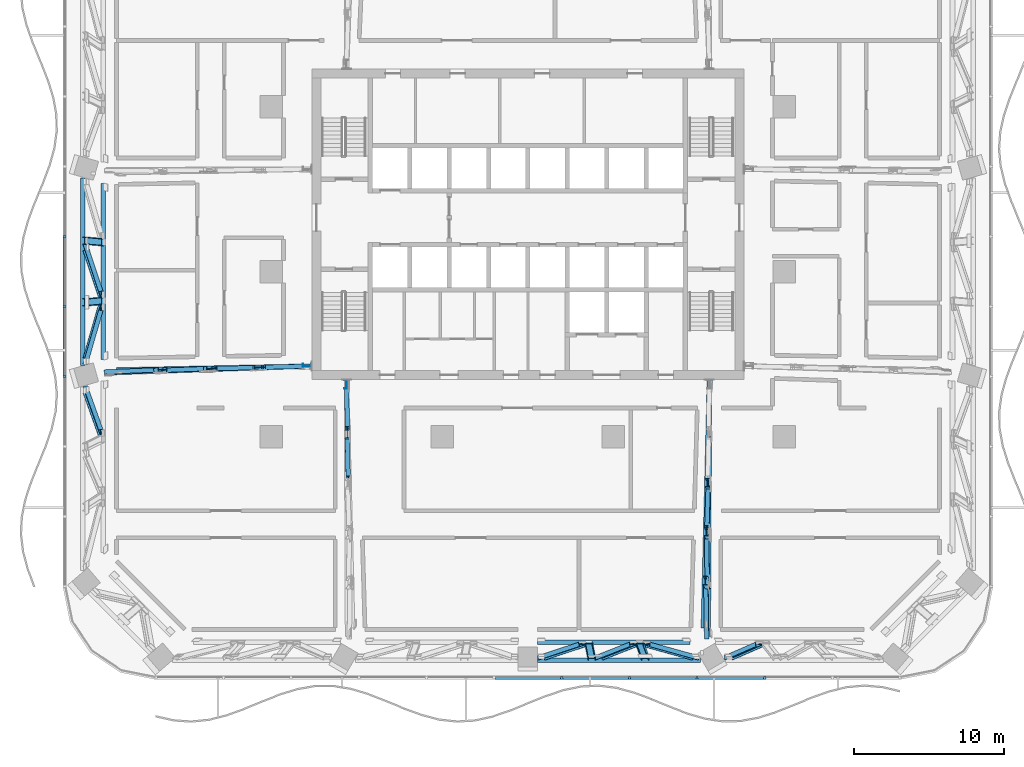
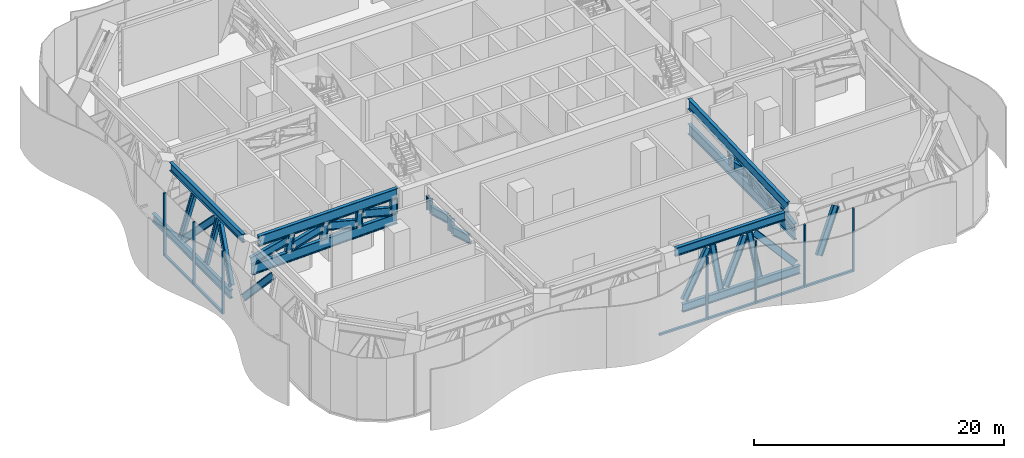
# One storey, part 3 of 32: 50 members, 2 elements without a shape of their own.
"""IFC4 building model written with IfcOpenShell, lengths in metres."""

from ifc_helpers import new_model, si_unit, direction, frame, origin, origin_2d, place, context, subcontext, project, spatial, rectangle, i_section, extrude, material, material_profile, profile_set, type_object, element, aggregate, save


model = new_model("IFC4")

# Units and contexts
model_context = context("Model", 3, precision=1e-05, world=origin(), true_north=direction((0.0, 1.0)))
body_context = subcontext(model_context, "Body", "Model", "MODEL_VIEW")
ifc_project = project(units=[si_unit("LENGTHUNIT", "METRE"), si_unit("AREAUNIT", "SQUARE_METRE"), si_unit("VOLUMEUNIT", "CUBIC_METRE"), si_unit("PLANEANGLEUNIT", "RADIAN"), si_unit("MASSUNIT", "GRAM", prefix="KILO")], contexts=[model_context])

# Site, building, storey
site_placement = place(None, origin())
site = spatial("IfcSite", under=ifc_project, at=site_placement, CompositionType="ELEMENT")
building_placement = place(site_placement, origin())
building = spatial("IfcBuilding", under=site, at=building_placement, Name="Mopane Tessera Tower", CompositionType="ELEMENT")
storey_placement = place(building_placement, frame((0.0, 0.0, 88.60009765625)))
storey = spatial("IfcBuildingStorey", under=building, at=storey_placement, Name="L17", CompositionType="ELEMENT", Elevation=88.60009765625)

# Curtain wall, members
ifc_material_1 = material(Name="Aluminium frame", Category="aluminium")
curtain_wall_type = type_object("IfcCurtainWallType", Name="Plant floor unitised wall", PredefinedType="NOTDEFINED", material=ifc_material_1)
curtain_wall_1_placement = place(storey_placement, origin())
curtain_wall_1 = element("IfcCurtainWall", 1, at=curtain_wall_1_placement, inside=storey, type_object=curtain_wall_type, Name="e:cw:L17:S:0", PredefinedType="NOTDEFINED")
ifc_material_2 = material(Name="Aluminium frame", Category="aluminium")
ifc_material_profile_1 = material_profile(ifc_material_2, rectangle(XDim=0.139892578125, YDim=0.199951171875, at=origin_2d()))
ifc_profile_set_1 = profile_set([ifc_material_profile_1], Name="Aluminium frame")
member_type_1 = type_object("IfcMemberType", Name="Aluminium mullion 140 x 200", PredefinedType="MULLION", material=ifc_profile_set_1)
member_1_placement = place(storey_placement, frame((2.254638671875, -27.10009765625, -0.60009765625), z_axis=(0.0, 0.0, 1.0), x_axis=(1.0, 0.0, 0.0)))
member_1 = element("IfcMember", 2, at=member_1_placement, type_object=member_type_1, Name="e:cw:L17:S:0:mu6", PredefinedType="MULLION", context=body_context, shape_type="SweptSolid", body=[
    extrude(rectangle(XDim=0.139892578125, YDim=0.199951171875, at=origin_2d()), origin(), (0.0, 0.0, 1.0), 6.14990234375),
])
member_2_placement = place(storey_placement, frame((6.763671875, -27.10009765625, -0.60009765625), z_axis=(0.0, 0.0, 1.0), x_axis=(1.0, 0.0, 0.0)))
member_2 = element("IfcMember", 3, at=member_2_placement, type_object=member_type_1, Name="e:cw:L17:S:0:mu7", PredefinedType="MULLION", context=body_context, shape_type="SweptSolid", body=[
    extrude(rectangle(XDim=0.139892578125, YDim=0.199951171875, at=origin_2d()), origin(), (0.0, 0.0, 1.0), 6.14990234375),
])
member_3_placement = place(storey_placement, frame((11.272705078125, -27.10009765625, -0.60009765625), z_axis=(0.0, 0.0, 1.0), x_axis=(1.0, 0.0, 0.0)))
member_3 = element("IfcMember", 4, at=member_3_placement, type_object=member_type_1, Name="e:cw:L17:S:0:mu8", PredefinedType="MULLION", context=body_context, shape_type="SweptSolid", body=[
    extrude(rectangle(XDim=0.139892578125, YDim=0.199951171875, at=origin_2d()), origin(), (0.0, 0.0, 1.0), 6.14990234375),
])
member_4_placement = place(storey_placement, frame((15.78173828125, -27.10009765625, -0.60009765625), z_axis=(0.0, 0.0, 1.0), x_axis=(1.0, 0.0, 0.0)))
member_4 = element("IfcMember", 5, at=member_4_placement, type_object=member_type_1, Name="e:cw:L17:S:0:mu9", PredefinedType="MULLION", context=body_context, shape_type="SweptSolid", body=[
    extrude(rectangle(XDim=0.139892578125, YDim=0.199951171875, at=origin_2d()), origin(), (0.0, 0.0, 1.0), 6.14990234375),
])

curtain_wall_2_placement = place(storey_placement, origin())
curtain_wall_2 = element("IfcCurtainWall", 6, at=curtain_wall_2_placement, inside=storey, type_object=curtain_wall_type, Name="e:cw:L17:W:0", PredefinedType="NOTDEFINED")
member_5_placement = place(storey_placement, frame((-30.89990234375, 2.333251953125, -0.60009765625), z_axis=(0.0, 0.0, 1.0), x_axis=(0.0, -1.0, 0.0)))
member_5 = element("IfcMember", 7, at=member_5_placement, type_object=member_type_1, Name="e:cw:L17:W:0:mu4", PredefinedType="MULLION", context=body_context, shape_type="SweptSolid", body=[
    extrude(rectangle(XDim=0.139892578125, YDim=0.199951171875, at=origin_2d()), origin(), (0.0, 0.0, 1.0), 6.14990234375),
])
member_6_placement = place(storey_placement, frame((-30.89990234375, -2.333251953125, -0.60009765625), z_axis=(0.0, 0.0, 1.0), x_axis=(0.0, -1.0, 0.0)))
member_6 = element("IfcMember", 8, at=member_6_placement, type_object=member_type_1, Name="e:cw:L17:W:0:mu5", PredefinedType="MULLION", context=body_context, shape_type="SweptSolid", body=[
    extrude(rectangle(XDim=0.139892578125, YDim=0.199951171875, at=origin_2d()), origin(), (0.0, 0.0, 1.0), 6.14990234375),
])
member_7_placement = place(storey_placement, frame((-30.89990234375, -7.0, -0.60009765625), z_axis=(0.0, 0.0, 1.0), x_axis=(0.0, -1.0, 0.0)))
member_7 = element("IfcMember", 9, at=member_7_placement, type_object=member_type_1, Name="e:cw:L17:W:0:mu6", PredefinedType="MULLION", context=body_context, shape_type="SweptSolid", body=[
    extrude(rectangle(XDim=0.139892578125, YDim=0.199951171875, at=origin_2d()), origin(), (0.0, 0.0, 1.0), 6.14990234375),
])

# Member
ifc_material_3 = material(Name="Aluminium frame", Category="aluminium")
ifc_material_profile_2 = material_profile(ifc_material_3, rectangle(XDim=0.199951171875, YDim=0.179931640625, at=origin_2d()))
ifc_profile_set_2 = profile_set([ifc_material_profile_2], Name="Aluminium frame")
member_type_2 = type_object("IfcMemberType", Name="Aluminium transom 200 x 180", PredefinedType="USERDEFINED", material=ifc_profile_set_2)
member_8_placement = place(storey_placement, frame((-2.1845703125, -27.10009765625, -0.510009765625), z_axis=(1.0, 0.0, 0.0), x_axis=(0.0, 1.0, 0.0)))
member_8 = element("IfcMember", 10, at=member_8_placement, type_object=member_type_2, Name="e:cw:L17:S:0:tr5", ObjectType="TRANSOM", PredefinedType="USERDEFINED", context=body_context, shape_type="SweptSolid", body=[
    extrude(rectangle(XDim=0.199951171875, YDim=0.179931640625, at=origin_2d()), origin(), (0.0, 0.0, 1.0), 4.369140625),
])

member_9_placement = place(storey_placement, frame((2.324462890625, -27.10009765625, -0.510009765625), z_axis=(1.0, 0.0, 0.0), x_axis=(0.0, 1.0, 0.0)))
member_9 = element("IfcMember", 11, at=member_9_placement, type_object=member_type_2, Name="e:cw:L17:S:0:tr6", ObjectType="TRANSOM", PredefinedType="USERDEFINED", context=body_context, shape_type="SweptSolid", body=[
    extrude(rectangle(XDim=0.199951171875, YDim=0.179931640625, at=origin_2d()), origin(), (0.0, 0.0, 1.0), 4.369140625),
])

member_10_placement = place(storey_placement, frame((6.833740234375, -27.10009765625, -0.510009765625), z_axis=(1.0, 0.0, 0.0), x_axis=(0.0, 1.0, 0.0)))
member_10 = element("IfcMember", 12, at=member_10_placement, type_object=member_type_2, Name="e:cw:L17:S:0:tr7", ObjectType="TRANSOM", PredefinedType="USERDEFINED", context=body_context, shape_type="SweptSolid", body=[
    extrude(rectangle(XDim=0.199951171875, YDim=0.179931640625, at=origin_2d()), origin(), (0.0, 0.0, 1.0), 4.368896484375),
])

member_11_placement = place(storey_placement, frame((11.3427734375, -27.10009765625, -0.510009765625), z_axis=(1.0, 0.0, 0.0), x_axis=(0.0, 1.0, 0.0)))
member_11 = element("IfcMember", 13, at=member_11_placement, type_object=member_type_2, Name="e:cw:L17:S:0:tr8", ObjectType="TRANSOM", PredefinedType="USERDEFINED", context=body_context, shape_type="SweptSolid", body=[
    extrude(rectangle(XDim=0.199951171875, YDim=0.179931640625, at=origin_2d()), origin(), (0.0, 0.0, 1.0), 4.369140625),
])

aggregate(curtain_wall_1, [member_1, member_2, member_3, member_4, member_8, member_9, member_10, member_11])

member_12_placement = place(storey_placement, frame((-30.89990234375, 2.263427734375, -0.510009765625), z_axis=(0.0, -1.0, 0.0), x_axis=(1.0, 0.0, 0.0)))
member_12 = element("IfcMember", 14, at=member_12_placement, type_object=member_type_2, Name="e:cw:L17:W:0:tr4", ObjectType="TRANSOM", PredefinedType="USERDEFINED", context=body_context, shape_type="SweptSolid", body=[
    extrude(rectangle(XDim=0.199951171875, YDim=0.179931640625, at=origin_2d()), origin(), (0.0, 0.0, 1.0), 4.52685546875),
])

member_13_placement = place(storey_placement, frame((-30.89990234375, -2.4033203125, -0.510009765625), z_axis=(0.0, -1.0, 0.0), x_axis=(1.0, 0.0, 0.0)))
member_13 = element("IfcMember", 15, at=member_13_placement, type_object=member_type_2, Name="e:cw:L17:W:0:tr5", ObjectType="TRANSOM", PredefinedType="USERDEFINED", context=body_context, shape_type="SweptSolid", body=[
    extrude(rectangle(XDim=0.199951171875, YDim=0.179931640625, at=origin_2d()), origin(), (0.0, 0.0, 1.0), 4.526611328125),
])

aggregate(curtain_wall_2, [member_5, member_6, member_7, member_12, member_13])

# Members
ifc_material_4 = material(Name="Structural steel S460", Category="steel")
ifc_material_profile_3 = material_profile(ifc_material_4, i_section(OverallWidth=0.302978515625, OverallDepth=0.81396484375, WebThickness=0.02099609375, FlangeThickness=0.0400390625, FilletRadius=0.030029296875, at=origin_2d()))
ifc_profile_set_3 = profile_set([ifc_material_profile_3], Name="Structural steel S460")
member_type_3 = type_object("IfcMemberType", Name="Belt truss chord HE 800 M", PredefinedType="CHORD", material=ifc_profile_set_3)
member_14_placement = place(storey_placement, frame((0.6494140625, -25.898193359375, 0.406982421875), z_axis=(1.0, 0.0, 0.0), x_axis=(0.0, 1.0, 0.0)))
element("IfcMember", 16, at=member_14_placement, inside=storey, type_object=member_type_3, Name="Belt truss bottom chord L17 S2-S3", PredefinedType="CHORD", context=body_context, shape_type="SweptSolid", body=[
    extrude(i_section(OverallWidth=0.302978515625, OverallDepth=0.81396484375, WebThickness=0.02099609375, FlangeThickness=0.0400390625, FilletRadius=0.030029296875, at=origin_2d()), origin(), (0.0, 0.0, 1.0), 10.850830078125),
])
member_15_placement = place(storey_placement, frame((0.6494140625, -24.71435546875, 5.142822265625), z_axis=(1.0, 0.0, 0.0), x_axis=(0.0, 1.0, 0.0)))
element("IfcMember", 17, at=member_15_placement, inside=storey, type_object=member_type_3, Name="Belt truss top chord L17 S2-S3", PredefinedType="CHORD", context=body_context, shape_type="SweptSolid", body=[
    extrude(i_section(OverallWidth=0.302978515625, OverallDepth=0.81396484375, WebThickness=0.02099609375, FlangeThickness=0.0400390625, FilletRadius=0.030029296875, at=origin_2d()), origin(), (0.0, 0.0, 1.0), 10.16015625),
])
member_16_placement = place(storey_placement, frame((-29.681396484375, 6.247314453125, 0.406982421875), z_axis=(0.0, -1.0, 0.0), x_axis=(1.0, 0.0, 0.0)))
element("IfcMember", 18, at=member_16_placement, inside=storey, type_object=member_type_3, Name="Belt truss bottom chord L17 W1-W2", PredefinedType="CHORD", context=body_context, shape_type="SweptSolid", body=[
    extrude(i_section(OverallWidth=0.302978515625, OverallDepth=0.81396484375, WebThickness=0.02099609375, FlangeThickness=0.0400390625, FilletRadius=0.030029296875, at=origin_2d()), origin(), (0.0, 0.0, 1.0), 12.49462890625),
])
member_17_placement = place(storey_placement, frame((-28.300048828125, 5.8525390625, 5.142822265625), z_axis=(0.0, -1.0, 0.0), x_axis=(1.0, 0.0, 0.0)))
element("IfcMember", 19, at=member_17_placement, inside=storey, type_object=member_type_3, Name="Belt truss top chord L17 W1-W2", PredefinedType="CHORD", context=body_context, shape_type="SweptSolid", body=[
    extrude(i_section(OverallWidth=0.302978515625, OverallDepth=0.81396484375, WebThickness=0.02099609375, FlangeThickness=0.0400390625, FilletRadius=0.030029296875, at=origin_2d()), origin(), (0.0, 0.0, 1.0), 11.705078125),
])
ifc_material_5 = material(Name="Structural steel S460", Category="steel")
ifc_material_profile_4 = material_profile(ifc_material_5, i_section(OverallWidth=0.300048828125, OverallDepth=0.60009765625, WebThickness=0.015380859375, FlangeThickness=0.030029296875, FilletRadius=0.027099609375, at=origin_2d()))
ifc_profile_set_4 = profile_set([ifc_material_profile_4], Name="Structural steel S460")
member_type_4 = type_object("IfcMemberType", Name="Belt truss diagonal HE 600 B", PredefinedType="BRACE", material=ifc_profile_set_4)
member_18_placement = place(storey_placement, frame((0.889892578125, -25.757080078125, 0.97119140625), z_axis=(0.593142183099, 0.195264880525, 0.781059522099), x_axis=(-0.118076767336, 0.980750542203, -0.155519294574)))
element("IfcMember", 20, at=member_18_placement, inside=storey, type_object=member_type_4, Name="Belt truss diagonal 0 L17 S2-S3", PredefinedType="BRACE", context=body_context, shape_type="SweptSolid", body=[
    extrude(i_section(OverallWidth=0.300048828125, OverallDepth=0.60009765625, WebThickness=0.015380859375, FlangeThickness=0.030029296875, FilletRadius=0.027099609375, at=origin_2d()), origin(), (0.0, 0.0, 1.0), 4.61865234375),
])
member_19_placement = place(storey_placement, frame((4.71337890625, -25.760498046875, 0.957763671875), z_axis=(0.525726153258, 0.206287779845, 0.825261996984), x_axis=(-0.110802820524, 0.978491364556, -0.174003978267)))
element("IfcMember", 21, at=member_19_placement, inside=storey, type_object=member_type_4, Name="Belt truss diagonal 1 L17 S2-S3", PredefinedType="BRACE", context=body_context, shape_type="SweptSolid", body=[
    extrude(i_section(OverallWidth=0.300048828125, OverallDepth=0.60009765625, WebThickness=0.015380859375, FlangeThickness=0.030029296875, FilletRadius=0.027099609375, at=origin_2d()), origin(), (0.0, 0.0, 1.0), 4.40380859375),
])
member_20_placement = place(storey_placement, frame((7.91064453125, -24.855224609375, 4.57861328125), z_axis=(0.658870753791, -0.182448917879, -0.729795671516), x_axis=(0.122259863731, 0.983215333665, -0.135425748537)))
element("IfcMember", 22, at=member_20_placement, inside=storey, type_object=member_type_4, Name="Belt truss diagonal 2 L17 S2-S3", PredefinedType="BRACE", context=body_context, shape_type="SweptSolid", body=[
    extrude(i_section(OverallWidth=0.300048828125, OverallDepth=0.60009765625, WebThickness=0.015380859375, FlangeThickness=0.030029296875, FilletRadius=0.027099609375, at=origin_2d()), origin(), (0.0, 0.0, 1.0), 4.943115234375),
])
member_21_placement = place(storey_placement, frame((13.355224609375, -25.7587890625, 0.96484375), z_axis=(0.486371976666, 0.211915951751, 0.847663807006), x_axis=(-0.105491827337, 0.97728789438, -0.183792942911)))
element("IfcMember", 23, at=member_21_placement, inside=storey, type_object=member_type_4, Name="Belt truss diagonal 0 L17 S3-S4", PredefinedType="BRACE", context=body_context, shape_type="SweptSolid", body=[
    extrude(i_section(OverallWidth=0.300048828125, OverallDepth=0.60009765625, WebThickness=0.015380859375, FlangeThickness=0.030029296875, FilletRadius=0.027099609375, at=origin_2d()), origin(), (0.0, 0.0, 1.0), 4.270751953125),
])
member_22_placement = place(storey_placement, frame((-29.5126953125, 1.611572265625, 0.9853515625), z_axis=(0.213786995465, -0.645810715722, 0.732955414762), x_axis=(0.976880299996, 0.141328138786, -0.160409590319)))
element("IfcMember", 24, at=member_22_placement, inside=storey, type_object=member_type_4, Name="Belt truss diagonal 1 L17 W1-W2", PredefinedType="BRACE", context=body_context, shape_type="SweptSolid", body=[
    extrude(i_section(OverallWidth=0.300048828125, OverallDepth=0.60009765625, WebThickness=0.015380859375, FlangeThickness=0.030029296875, FilletRadius=0.027099609375, at=origin_2d()), origin(), (0.0, 0.0, 1.0), 4.883056640625),
])
member_23_placement = place(storey_placement, frame((-28.4716796875, -2.379150390625, 4.553955078125), z_axis=(-0.200932231115, -0.696479987173, -0.688869992064), x_axis=(0.979605144172, -0.14286116767, -0.141295606028)))
element("IfcMember", 25, at=member_23_placement, inside=storey, type_object=member_type_4, Name="Belt truss diagonal 2 L17 W1-W2", PredefinedType="BRACE", context=body_context, shape_type="SweptSolid", body=[
    extrude(i_section(OverallWidth=0.300048828125, OverallDepth=0.60009765625, WebThickness=0.015380859375, FlangeThickness=0.030029296875, FilletRadius=0.027099609375, at=origin_2d()), origin(), (0.0, 0.0, 1.0), 5.1650390625),
])
member_24_placement = place(storey_placement, frame((-29.5107421875, -7.861572265625, 0.991943359375), z_axis=(0.220504789335, -0.616274653011, 0.756031209632), x_axis=(0.975385891778, 0.139320539279, -0.170915620863)))
element("IfcMember", 26, at=member_24_placement, inside=storey, type_object=member_type_4, Name="Belt truss diagonal 0 L17 W2-W3", PredefinedType="BRACE", context=body_context, shape_type="SweptSolid", body=[
    extrude(i_section(OverallWidth=0.300048828125, OverallDepth=0.60009765625, WebThickness=0.015380859375, FlangeThickness=0.030029296875, FilletRadius=0.027099609375, at=origin_2d()), origin(), (0.0, 0.0, 1.0), 4.716552734375),
])
ifc_material_6 = material(Name="Structural steel S460", Category="steel")
ifc_material_profile_5 = material_profile(ifc_material_6, i_section(OverallWidth=0.300048828125, OverallDepth=0.5, WebThickness=0.014404296875, FlangeThickness=0.028076171875, FilletRadius=0.027099609375, at=origin_2d()))
ifc_profile_set_5 = profile_set([ifc_material_profile_5], Name="Structural steel S460")
member_type_5 = type_object("IfcMemberType", Name="Belt truss post HE 500 B", PredefinedType="POST", material=ifc_profile_set_5)
member_25_placement = place(storey_placement, frame((4.2548828125, -25.79638671875, 0.81396484375), z_axis=(-0.048979720159, 0.242244527288, 0.96897810915), x_axis=(0.012139383432, 0.97021522425, -0.24194018683)))
element("IfcMember", 27, at=member_25_placement, inside=storey, type_object=member_type_5, Name="Belt truss post 1 L17 S2-S3", PredefinedType="POST", context=body_context, shape_type="SweptSolid", body=[
    extrude(i_section(OverallWidth=0.300048828125, OverallDepth=0.5, WebThickness=0.014404296875, FlangeThickness=0.028076171875, FilletRadius=0.027099609375, at=origin_2d()), origin(), (0.0, 0.0, 1.0), 4.04736328125),
])
member_26_placement = place(storey_placement, frame((7.8251953125, -25.79638671875, 0.81396484375), z_axis=(-0.089801461096, 0.241555705131, 0.966222820525), x_axis=(0.022278065157, 0.970386951601, -0.240526198105)))
element("IfcMember", 28, at=member_26_placement, inside=storey, type_object=member_type_5, Name="Belt truss post 2 L17 S2-S3", PredefinedType="POST", context=body_context, shape_type="SweptSolid", body=[
    extrude(i_section(OverallWidth=0.300048828125, OverallDepth=0.5, WebThickness=0.014404296875, FlangeThickness=0.028076171875, FilletRadius=0.027099609375, at=origin_2d()), origin(), (0.0, 0.0, 1.0), 4.05908203125),
])
for number, where, z_axis, x_axis, name in (
    (29, (-29.562744140625, 2.057861328125, 0.81396484375), (0.279957937948, -0.023718160769, 0.959719230728), (0.960012261999, 0.007019712455, -0.279869934878), "Belt truss post 1 L17 W1-W2"),
    (30, (-29.562744140625, -2.057861328125, 0.81396484375), (0.279957937948, 0.023718160769, 0.959719230728), (0.960012261999, -0.007019712455, -0.279869934878), "Belt truss post 2 L17 W1-W2"),
):
    element("IfcMember", number, at=place(storey_placement, frame(where, z_axis=z_axis, x_axis=x_axis)), inside=storey, type_object=member_type_5, Name=name, PredefinedType="POST", context=body_context, shape_type="SweptSolid", body=[
        extrude(i_section(OverallWidth=0.300048828125, OverallDepth=0.5, WebThickness=0.014404296875, FlangeThickness=0.028076171875, FilletRadius=0.027099609375, at=origin_2d()), origin(), (0.0, 0.0, 1.0), 4.08642578125),
    ])
ifc_material_7 = material(Name="Structural steel S460", Category="steel")
ifc_material_profile_6 = material_profile(ifc_material_7, i_section(OverallWidth=0.302001953125, OverallDepth=1.008056640625, WebThickness=0.02099609375, FlangeThickness=0.0400390625, FilletRadius=0.030029296875, at=origin_2d()))
ifc_profile_set_6 = profile_set([ifc_material_profile_6], Name="Structural steel S460")
member_type_6 = type_object("IfcMemberType", Name="Outrigger truss chord HE 1000 M", PredefinedType="CHORD", material=ifc_profile_set_6)
member_27_placement = place(storey_placement, frame((-14.41943359375, -6.300537109375, 2.60400390625), z_axis=(-0.999456173997, -0.032975085422, 0.0), x_axis=(0.032975085422, -0.999456173997, 0.0)))
element("IfcMember", 31, at=member_27_placement, inside=storey, type_object=member_type_6, Name="Outrigger truss bottom chord L17 W2", PredefinedType="CHORD", context=body_context, shape_type="SweptSolid", body=[
    extrude(i_section(OverallWidth=0.302001953125, OverallDepth=1.008056640625, WebThickness=0.02099609375, FlangeThickness=0.0400390625, FilletRadius=0.030029296875, at=origin_2d()), origin(), (0.0, 0.0, 1.0), 13.734130859375),
])
member_28_placement = place(storey_placement, frame((-14.41943359375, -6.30029296875, 5.0458984375), z_axis=(-0.999798504225, -0.02007363818, 0.0), x_axis=(0.02007363818, -0.999798504225, 0.0)))
element("IfcMember", 32, at=member_28_placement, inside=storey, type_object=member_type_6, Name="Outrigger truss top chord L17 W2", PredefinedType="CHORD", context=body_context, shape_type="SweptSolid", body=[
    extrude(i_section(OverallWidth=0.302001953125, OverallDepth=1.008056640625, WebThickness=0.02099609375, FlangeThickness=0.0400390625, FilletRadius=0.030029296875, at=origin_2d()), origin(), (0.0, 0.0, 1.0), 13.013671875),
])
member_29_placement = place(storey_placement, frame((12.093505859375, -7.215087890625, 2.60400390625), z_axis=(-0.004037978608, -0.999991847331, 0.0), x_axis=(0.999991847331, -0.004037978608, 0.0)))
element("IfcMember", 33, at=member_29_placement, inside=storey, type_object=member_type_6, Name="Outrigger truss bottom chord L17 S3", PredefinedType="CHORD", context=body_context, shape_type="SweptSolid", body=[
    extrude(i_section(OverallWidth=0.302001953125, OverallDepth=1.008056640625, WebThickness=0.02099609375, FlangeThickness=0.0400390625, FilletRadius=0.030029296875, at=origin_2d()), origin(), (0.0, 0.0, 1.0), 17.110595703125),
])
member_30_placement = place(storey_placement, frame((12.09326171875, -7.215087890625, 5.0458984375), z_axis=(-0.024489139144, -0.999700096061, 0.0), x_axis=(0.999700096061, -0.024489139144, 0.0)))
element("IfcMember", 34, at=member_30_placement, inside=storey, type_object=member_type_6, Name="Outrigger truss top chord L17 S3", PredefinedType="CHORD", context=body_context, shape_type="SweptSolid", body=[
    extrude(i_section(OverallWidth=0.302001953125, OverallDepth=1.008056640625, WebThickness=0.02099609375, FlangeThickness=0.0400390625, FilletRadius=0.030029296875, at=origin_2d()), origin(), (0.0, 0.0, 1.0), 16.5390625),
])
ifc_material_8 = material(Name="Structural steel S460", Category="steel")
ifc_material_profile_7 = material_profile(ifc_material_8, i_section(OverallWidth=0.300048828125, OverallDepth=0.800048828125, WebThickness=0.017578125, FlangeThickness=0.032958984375, FilletRadius=0.030029296875, at=origin_2d()))
ifc_profile_set_7 = profile_set([ifc_material_profile_7], Name="Structural steel S460")
member_type_7 = type_object("IfcMemberType", Name="Outrigger truss diagonal HE 800 B", PredefinedType="BRACE", material=ifc_profile_set_7)
member_31_placement = place(storey_placement, frame((-15.06982421875, -6.319091796875, 3.484619140625), z_axis=(-0.965418337109, -0.02309925206, 0.259680301385), x_axis=(0.024530494383, -0.999696500777, 0.002271822843)))
element("IfcMember", 35, at=member_31_placement, inside=storey, type_object=member_type_7, Name="Outrigger truss diagonal 0 L17 W2", PredefinedType="BRACE", context=body_context, shape_type="SweptSolid", body=[
    extrude(i_section(OverallWidth=0.300048828125, OverallDepth=0.800048828125, WebThickness=0.017578125, FlangeThickness=0.032958984375, FilletRadius=0.030029296875, at=origin_2d()), origin(), (0.0, 0.0, 1.0), 2.62109375),
])
member_32_placement = place(storey_placement, frame((-18.355224609375, -6.41259765625, 3.484619140625), z_axis=(-0.964312221975, -0.018473414214, 0.264122455533), x_axis=(0.020118371237, -0.99979139368, 0.003524239258)))
element("IfcMember", 36, at=member_32_placement, inside=storey, type_object=member_type_7, Name="Outrigger truss diagonal 1 L17 W2", PredefinedType="BRACE", context=body_context, shape_type="SweptSolid", body=[
    extrude(i_section(OverallWidth=0.300048828125, OverallDepth=0.800048828125, WebThickness=0.017578125, FlangeThickness=0.032958984375, FilletRadius=0.030029296875, at=origin_2d()), origin(), (0.0, 0.0, 1.0), 2.5771484375),
])
member_33_placement = place(storey_placement, frame((-21.540771484375, -6.4775390625, 4.165283203125), z_axis=(-0.968457820328, -0.036945821748, -0.246423327834), x_axis=(0.037812500494, -0.999284112271, 0.001215635228)))
element("IfcMember", 37, at=member_33_placement, inside=storey, type_object=member_type_7, Name="Outrigger truss diagonal 2 L17 W2", PredefinedType="BRACE", context=body_context, shape_type="SweptSolid", body=[
    extrude(i_section(OverallWidth=0.300048828125, OverallDepth=0.800048828125, WebThickness=0.017578125, FlangeThickness=0.032958984375, FilletRadius=0.030029296875, at=origin_2d()), origin(), (0.0, 0.0, 1.0), 2.76220703125),
])
member_34_placement = place(storey_placement, frame((-24.770263671875, -6.55810546875, 4.161376953125), z_axis=(-0.975593418128, -0.040016771548, -0.215907712922), x_axis=(0.040611999871, -0.999173578677, 0.001680815653)))
element("IfcMember", 38, at=member_34_placement, inside=storey, type_object=member_type_7, Name="Outrigger truss diagonal 3 L17 W2", PredefinedType="BRACE", context=body_context, shape_type="SweptSolid", body=[
    extrude(i_section(OverallWidth=0.300048828125, OverallDepth=0.800048828125, WebThickness=0.017578125, FlangeThickness=0.032958984375, FilletRadius=0.030029296875, at=origin_2d()), origin(), (0.0, 0.0, 1.0), 3.471435546875),
])
member_35_placement = place(storey_placement, frame((-12.086181640625, -7.868408203125, 3.48486328125), z_axis=(0.017860030287, -0.96673138298, 0.255169458359), x_axis=(0.999839952201, 0.017535001129, -0.003548763017)))
element("IfcMember", 39, at=member_35_placement, inside=storey, type_object=member_type_7, Name="Outrigger truss diagonal 0 L17 S1", PredefinedType="BRACE", context=body_context, shape_type="SweptSolid", body=[
    extrude(i_section(OverallWidth=0.300048828125, OverallDepth=0.800048828125, WebThickness=0.017578125, FlangeThickness=0.032958984375, FilletRadius=0.030029296875, at=origin_2d()), origin(), (0.0, 0.0, 1.0), 2.66552734375),
])
member_36_placement = place(storey_placement, frame((-12.048828125, -11.189453125, 3.48486328125), z_axis=(0.025011134406, -0.965800323395, 0.258077853537), x_axis=(0.999686621813, 0.024434314123, -0.005442652134)))
element("IfcMember", 40, at=member_36_placement, inside=storey, type_object=member_type_7, Name="Outrigger truss diagonal 1 L17 S1", PredefinedType="BRACE", context=body_context, shape_type="SweptSolid", body=[
    extrude(i_section(OverallWidth=0.300048828125, OverallDepth=0.800048828125, WebThickness=0.017578125, FlangeThickness=0.032958984375, FilletRadius=0.030029296875, at=origin_2d()), origin(), (0.0, 0.0, 1.0), 2.635498046875),
])
member_37_placement = place(storey_placement, frame((12.01123046875, -14.5107421875, 3.48486328125), z_axis=(-0.032325110509, -0.964787428732, 0.261036979358), x_axis=(0.999476850103, -0.031478870408, 0.007423397234)))
element("IfcMember", 41, at=member_37_placement, inside=storey, type_object=member_type_7, Name="Outrigger truss diagonal 2 L17 S3", PredefinedType="BRACE", context=body_context, shape_type="SweptSolid", body=[
    extrude(i_section(OverallWidth=0.300048828125, OverallDepth=0.800048828125, WebThickness=0.017578125, FlangeThickness=0.032958984375, FilletRadius=0.030029296875, at=origin_2d()), origin(), (0.0, 0.0, 1.0), 2.605712890625),
])
member_38_placement = place(storey_placement, frame((11.9150390625, -17.73095703125, 4.1650390625), z_axis=(0.010575951255, -0.96984095145, -0.243509092532), x_axis=(0.999943595217, 0.010019485958, 0.0035236751)))
element("IfcMember", 42, at=member_38_placement, inside=storey, type_object=member_type_7, Name="Outrigger truss diagonal 3 L17 S3", PredefinedType="BRACE", context=body_context, shape_type="SweptSolid", body=[
    extrude(i_section(OverallWidth=0.300048828125, OverallDepth=0.800048828125, WebThickness=0.017578125, FlangeThickness=0.032958984375, FilletRadius=0.030029296875, at=origin_2d()), origin(), (0.0, 0.0, 1.0), 2.793212890625),
])
member_39_placement = place(storey_placement, frame((11.85986328125, -21.010009765625, 4.1611328125), z_axis=(0.014344427362, -0.976610598464, -0.214536655076), x_axis=(0.999896732411, 0.013823052949, 0.00393035882)))
element("IfcMember", 43, at=member_39_placement, inside=storey, type_object=member_type_7, Name="Outrigger truss diagonal 4 L17 S3", PredefinedType="BRACE", context=body_context, shape_type="SweptSolid", body=[
    extrude(i_section(OverallWidth=0.300048828125, OverallDepth=0.800048828125, WebThickness=0.017578125, FlangeThickness=0.032958984375, FilletRadius=0.030029296875, at=origin_2d()), origin(), (0.0, 0.0, 1.0), 3.489013671875),
])
ifc_material_9 = material(Name="Structural steel S460", Category="steel")
ifc_material_profile_8 = material_profile(ifc_material_9, i_section(OverallWidth=0.300048828125, OverallDepth=0.60009765625, WebThickness=0.015380859375, FlangeThickness=0.030029296875, FilletRadius=0.027099609375, at=origin_2d()))
ifc_profile_set_8 = profile_set([ifc_material_profile_8], Name="Structural steel S460")
member_type_8 = type_object("IfcMemberType", Name="Outrigger truss post HE 600 B", PredefinedType="POST", material=ifc_profile_set_8)
member_40_placement = place(storey_placement, frame((-14.717041015625, -6.3095703125, 3.10791015625), z_axis=(0.006298810417, 0.001702381194, 0.999978713216), x_axis=(0.018651763548, -0.999824784978, 0.00158463272)))
element("IfcMember", 44, at=member_40_placement, inside=storey, type_object=member_type_8, Name="Outrigger truss post 0 L17 W2", PredefinedType="POST", context=body_context, shape_type="SweptSolid", body=[
    extrude(i_section(OverallWidth=0.300048828125, OverallDepth=0.60009765625, WebThickness=0.015380859375, FlangeThickness=0.030029296875, FilletRadius=0.027099609375, at=origin_2d()), origin(), (0.0, 0.0, 1.0), 1.43408203125),
])
member_41_placement = place(storey_placement, frame((-18.027587890625, -6.410400390625, 3.10791015625), z_axis=(0.072823826365, 0.020879558608, 0.997126237919), x_axis=(0.035240404244, -0.999210393821, 0.018349462891)))
element("IfcMember", 45, at=member_41_placement, inside=storey, type_object=member_type_8, Name="Outrigger truss post 1 L17 W2", PredefinedType="POST", context=body_context, shape_type="SweptSolid", body=[
    extrude(i_section(OverallWidth=0.300048828125, OverallDepth=0.60009765625, WebThickness=0.015380859375, FlangeThickness=0.030029296875, FilletRadius=0.027099609375, at=origin_2d()), origin(), (0.0, 0.0, 1.0), 1.438232421875),
])
member_42_placement = place(storey_placement, frame((-21.338134765625, -6.51123046875, 3.10791015625), z_axis=(0.138149169762, 0.039591530359, 0.989619784371), x_axis=(0.038622380555, -0.998656006658, 0.03456142484)))
element("IfcMember", 46, at=member_42_placement, inside=storey, type_object=member_type_8, Name="Outrigger truss post 2 L17 W2", PredefinedType="POST", context=body_context, shape_type="SweptSolid", body=[
    extrude(i_section(OverallWidth=0.300048828125, OverallDepth=0.60009765625, WebThickness=0.015380859375, FlangeThickness=0.030029296875, FilletRadius=0.027099609375, at=origin_2d()), origin(), (0.0, 0.0, 1.0), 1.44921875),
])
member_43_placement = place(storey_placement, frame((-24.648681640625, -6.61181640625, 3.10791015625), z_axis=(0.201581198149, 0.057594628043, 0.977777009023), x_axis=(0.043296520176, -0.997817864522, 0.049848977731)))
element("IfcMember", 47, at=member_43_placement, inside=storey, type_object=member_type_8, Name="Outrigger truss post 3 L17 W2", PredefinedType="POST", context=body_context, shape_type="SweptSolid", body=[
    extrude(i_section(OverallWidth=0.300048828125, OverallDepth=0.60009765625, WebThickness=0.015380859375, FlangeThickness=0.030029296875, FilletRadius=0.027099609375, at=origin_2d()), origin(), (0.0, 0.0, 1.0), 1.466796875),
])
member_44_placement = place(storey_placement, frame((-12.091064453125, -7.513427734375, 3.10791015625), z_axis=(0.002553594696, 0.004255991159, 0.999987682771), x_axis=(0.999962333373, -0.008306058591, -0.002518179015)))
element("IfcMember", 48, at=member_44_placement, inside=storey, type_object=member_type_8, Name="Outrigger truss post 0 L17 S1", PredefinedType="POST", context=body_context, shape_type="SweptSolid", body=[
    extrude(i_section(OverallWidth=0.300048828125, OverallDepth=0.60009765625, WebThickness=0.015380859375, FlangeThickness=0.030029296875, FilletRadius=0.027099609375, at=origin_2d()), origin(), (0.0, 0.0, 1.0), 1.43408203125),
])
member_45_placement = place(storey_placement, frame((-12.06396484375, -10.85205078125, 3.10791015625), z_axis=(0.029571079331, 0.050644722073, 0.998278850519), x_axis=(0.99955608682, 0.002129164085, -0.029716930542)))
element("IfcMember", 49, at=member_45_placement, inside=storey, type_object=member_type_8, Name="Outrigger truss post 1 L17 S1", PredefinedType="POST", context=body_context, shape_type="SweptSolid", body=[
    extrude(i_section(OverallWidth=0.300048828125, OverallDepth=0.60009765625, WebThickness=0.015380859375, FlangeThickness=0.030029296875, FilletRadius=0.027099609375, at=origin_2d()), origin(), (0.0, 0.0, 1.0), 1.4365234375),
])
member_46_placement = place(storey_placement, frame((12.03662109375, -14.190673828125, 3.10791015625), z_axis=(-0.05616720957, 0.096431654985, 0.99375358137), x_axis=(0.998410386832, 0.000754883621, 0.056357161179)))
element("IfcMember", 50, at=member_46_placement, inside=storey, type_object=member_type_8, Name="Outrigger truss post 2 L17 S3", PredefinedType="POST", context=body_context, shape_type="SweptSolid", body=[
    extrude(i_section(OverallWidth=0.300048828125, OverallDepth=0.60009765625, WebThickness=0.015380859375, FlangeThickness=0.030029296875, FilletRadius=0.027099609375, at=origin_2d()), origin(), (0.0, 0.0, 1.0), 1.443115234375),
])
member_47_placement = place(storey_placement, frame((12.009521484375, -17.529296875, 3.10791015625), z_axis=(-0.082461144045, 0.141409945592, 0.986510713074), x_axis=(0.996585600206, 0.007569118949, 0.082218306358)))
element("IfcMember", 51, at=member_47_placement, inside=storey, type_object=member_type_8, Name="Outrigger truss post 3 L17 S3", PredefinedType="POST", context=body_context, shape_type="SweptSolid", body=[
    extrude(i_section(OverallWidth=0.300048828125, OverallDepth=0.60009765625, WebThickness=0.015380859375, FlangeThickness=0.030029296875, FilletRadius=0.027099609375, at=origin_2d()), origin(), (0.0, 0.0, 1.0), 1.45361328125),
])
member_48_placement = place(storey_placement, frame((11.982177734375, -20.867919921875, 3.10791015625), z_axis=(-0.108082375195, 0.185236563026, 0.976732110607), x_axis=(0.994134381447, 0.016306993702, 0.106915450622)))
element("IfcMember", 52, at=member_48_placement, inside=storey, type_object=member_type_8, Name="Outrigger truss post 4 L17 S3", PredefinedType="POST", context=body_context, shape_type="SweptSolid", body=[
    extrude(i_section(OverallWidth=0.300048828125, OverallDepth=0.60009765625, WebThickness=0.015380859375, FlangeThickness=0.030029296875, FilletRadius=0.027099609375, at=origin_2d()), origin(), (0.0, 0.0, 1.0), 1.46826171875),
])

save(model, "model.ifc")
